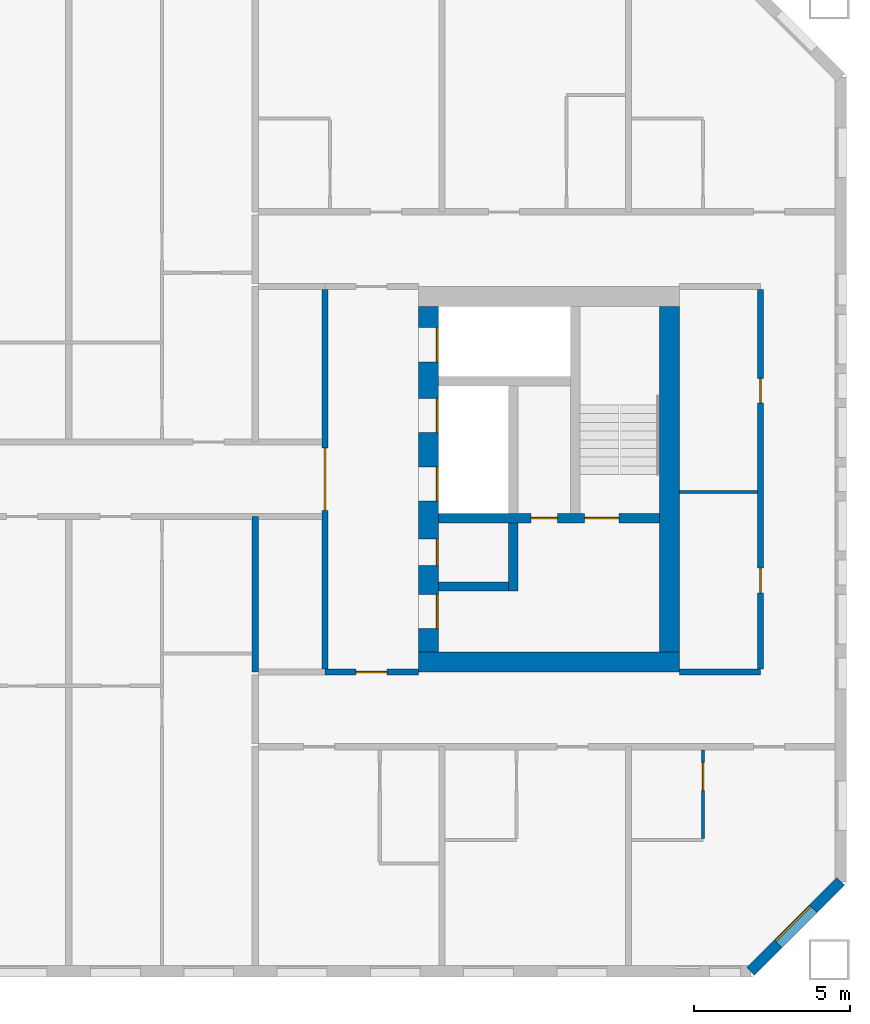
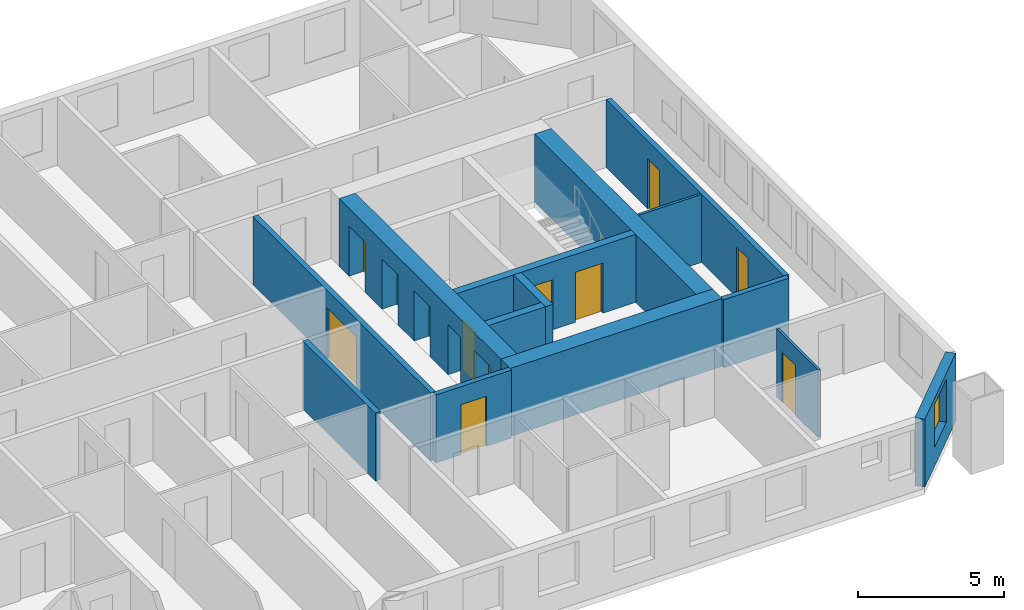
# One storey, part 13 of 17: 14 walls, 12 doors, 1 window, 13 openings.
"""IFC4 building model written with IfcOpenShell, lengths in metres."""

from ifc_helpers import new_model, si_unit, direction, frame, frame_2d, origin, place, context, subcontext, project, spatial, rectangle, extrude, material, layer, layer_set, type_object, element, fill, save


model = new_model("IFC4")

# Units and contexts
model_context = context("Model", 3, precision=1e-05, world=origin(), true_north=direction((0.0, 1.0)))
body_context = subcontext(model_context, "Body", "Model", "MODEL_VIEW")
ifc_project = project(units=[si_unit("LENGTHUNIT", "METRE"), si_unit("AREAUNIT", "SQUARE_METRE"), si_unit("VOLUMEUNIT", "CUBIC_METRE"), si_unit("PLANEANGLEUNIT", "RADIAN"), si_unit("MASSUNIT", "GRAM", prefix="KILO")], contexts=[model_context])

# Site, building, storey
site_placement = place(None, origin())
site = spatial("IfcSite", under=ifc_project, at=site_placement, CompositionType="ELEMENT")
building_placement = place(site_placement, origin())
building = spatial("IfcBuilding", under=site, at=building_placement, Name="Tuart Gate Housing", CompositionType="ELEMENT")
storey_placement = place(building_placement, frame((0.0, 0.0, 99.5)))
storey = spatial("IfcBuildingStorey", under=building, at=storey_placement, Name="L27", CompositionType="ELEMENT", Elevation=99.5)

# Wall, opening, window
ifc_material_1 = material(Name="Brick", Category="masonry")
ifc_layer_1 = layer(ifc_material_1, 0.360107421875)
ifc_layer_set_1 = layer_set([ifc_layer_1], Name="Brick pier and spandrel wall 360")
wall_type_1 = type_object("IfcWallType", Name="Brick pier and spandrel wall 360", PredefinedType="STANDARD", material=ifc_layer_set_1)
wall_1_placement = place(storey_placement, frame((170.92529296875, 54.179931640625, 0.0), z_axis=(0.0, 0.0, 1.0), x_axis=(0.707106781187, 0.707106781187, 0.0)))
wall_1 = element("IfcWall", 1, at=wall_1_placement, inside=storey, type_object=wall_type_1, Name="External wall B-SE L27", PredefinedType="STANDARD", context=body_context, shape_type="SweptSolid", body=[
    extrude(rectangle(XDim=4.09375, YDim=0.360107421875, at=frame_2d((2.046875, 0.0))), origin(), (0.0, 0.0, 1.0), 2.85009765625),
])
opening_1_placement = place(wall_1_placement, frame((1.2470703125, 0.0, 0.800048828125)))
opening_1 = element("IfcOpeningElement", 2, at=opening_1_placement, cuts=wall_1, Name="Opening W1", PredefinedType="OPENING", context=body_context, shape_type="SweptSolid", body=[
    extrude(rectangle(XDim=1.60009765625, YDim=1.800048828125, at=frame_2d((0.800048828125, 0.89990234375))), frame((0.0, 0.18994140625, 0.0), z_axis=(0.0, -1.0, 0.0), x_axis=(1.0, 0.0, 0.0)), (0.0, 0.0, 1.0), 0.380126953125),
])
ifc_material_2 = material(Name="Aluminium frame with clear glass", Category="aluminium")
window_type = type_object("IfcWindowType", Name="Punched window 1600 x 1800", PartitioningType="SINGLE_PANEL", PredefinedType="WINDOW", material=ifc_material_2)
window_placement = place(opening_1_placement, origin())
window = element("IfcWindow", 3, at=window_placement, inside=storey, type_object=window_type, Name="Window W1", OverallHeight=1.800048828125, OverallWidth=1.60009765625, PartitioningType="SINGLE_PANEL", PredefinedType="WINDOW", context=body_context, shape_type="SweptSolid", body=[
    extrude(rectangle(XDim=1.60009765625, YDim=1.800048828125, at=frame_2d((0.800048828125, 0.89990234375))), frame((0.0, 0.150146484375, 0.0), z_axis=(0.0, -1.0, 0.0), x_axis=(1.0, 0.0, 0.0)), (0.0, 0.0, 1.0), 0.06005859375),
])
fill(opening_1, window)

# Wall, openings, doors
ifc_material_3 = material(Name="Concrete C50", Category="concrete")
ifc_layer_2 = layer(ifc_material_3, 0.300048828125)
ifc_layer_set_2 = layer_set([ifc_layer_2], Name="Core wall 300 C50")
wall_type_2 = type_object("IfcWallType", Name="Core wall 300 C50", PredefinedType="SHEAR", material=ifc_layer_set_2)
wall_2_placement = place(storey_placement, frame((160.889892578125, 68.75, 0.0), z_axis=(0.0, 0.0, 1.0), x_axis=(1.0, 0.0, 0.0)))
wall_2 = element("IfcWall", 4, at=wall_2_placement, inside=storey, type_object=wall_type_2, Name="Core wall BK.2", PredefinedType="SHEAR", context=body_context, shape_type="SweptSolid", body=[
    extrude(rectangle(XDim=7.10009765625, YDim=0.300048828125, at=frame_2d((3.550048828125, 0.0))), origin(), (0.0, 0.0, 1.0), 2.85009765625),
])
opening_2_placement = place(wall_2_placement, frame((4.699951171875, 0.0, 0.0)))
opening_2 = element("IfcOpeningElement", 5, at=opening_2_placement, cuts=wall_2, Name="Opening D1159", PredefinedType="OPENING", context=body_context, shape_type="SweptSolid", body=[
    extrude(rectangle(XDim=1.10009765625, YDim=2.10009765625, at=frame_2d((0.550048828125, 1.050048828125))), frame((0.0, 0.159912109375, 0.0), z_axis=(0.0, -1.0, 0.0), x_axis=(1.0, 0.0, 0.0)), (0.0, 0.0, 1.0), 0.320068359375),
])
opening_3_placement = place(wall_2_placement, frame((2.97509765625, 0.0, 0.0)))
opening_3 = element("IfcOpeningElement", 6, at=opening_3_placement, cuts=wall_2, Name="Opening D1158", PredefinedType="OPENING", context=body_context, shape_type="SweptSolid", body=[
    extrude(rectangle(XDim=0.85009765625, YDim=2.10009765625, at=frame_2d((0.425048828125, 1.050048828125))), frame((0.0, 0.159912109375, 0.0), z_axis=(0.0, -1.0, 0.0), x_axis=(1.0, 0.0, 0.0)), (0.0, 0.0, 1.0), 0.320068359375),
])
ifc_material_4 = material(Name="Steel fire door", Category="steel")
door_type_1 = type_object("IfcDoorType", Name="Riser door 850 x 2100", OperationType="SINGLE_SWING_LEFT", PredefinedType="DOOR", material=ifc_material_4)
door_1_placement = place(opening_3_placement, origin())
door_1 = element("IfcDoor", 7, at=door_1_placement, inside=storey, type_object=door_type_1, Name="Service room door BK.W1", OperationType="SINGLE_SWING_LEFT", OverallHeight=2.10009765625, OverallWidth=0.85009765625, PredefinedType="DOOR", context=body_context, shape_type="SweptSolid", body=[
    extrude(rectangle(XDim=0.85009765625, YDim=2.10009765625, at=frame_2d((0.425048828125, 1.050048828125))), frame((0.0, 0.02490234375, 0.0), z_axis=(0.0, -1.0, 0.0), x_axis=(1.0, 0.0, 0.0)), (0.0, 0.0, 1.0), 0.050048828125),
])
fill(opening_3, door_1)
ifc_material_5 = material(Name="Steel fire door", Category="steel")
door_type_2 = type_object("IfcDoorType", Name="Stair door 1100 x 2100", OperationType="SINGLE_SWING_LEFT", PredefinedType="DOOR", material=ifc_material_5)
door_2_placement = place(opening_2_placement, origin())
door_2 = element("IfcDoor", 8, at=door_2_placement, inside=storey, type_object=door_type_2, Name="Stair door BK.SD", OperationType="SINGLE_SWING_LEFT", OverallHeight=2.10009765625, OverallWidth=1.10009765625, PredefinedType="DOOR", context=body_context, shape_type="SweptSolid", body=[
    extrude(rectangle(XDim=1.10009765625, YDim=2.10009765625, at=frame_2d((0.550048828125, 1.050048828125))), frame((0.0, 0.02490234375, 0.0), z_axis=(0.0, -1.0, 0.0), x_axis=(1.0, 0.0, 0.0)), (0.0, 0.0, 1.0), 0.050048828125),
])
fill(opening_2, door_2)

# Walls
wall_3_placement = place(storey_placement, frame((160.889892578125, 66.550048828125, 0.0), z_axis=(0.0, 0.0, 1.0), x_axis=(1.0, 0.0, 0.0)))
element("IfcWall", 9, at=wall_3_placement, inside=storey, type_object=wall_type_2, Name="Core wall BK.3", PredefinedType="SHEAR", context=body_context, shape_type="SweptSolid", body=[
    extrude(rectangle(XDim=2.25, YDim=0.300048828125, at=frame_2d((1.125, 0.0))), origin(), (0.0, 0.0, 1.0), 2.85009765625),
])
wall_4_placement = place(storey_placement, frame((163.2900390625, 68.60009765625, 0.0), z_axis=(0.0, 0.0, 1.0), x_axis=(0.0, -1.0, 0.0)))
element("IfcWall", 10, at=wall_4_placement, inside=storey, type_object=wall_type_2, Name="Core wall BK.5", PredefinedType="SHEAR", context=body_context, shape_type="SweptSolid", body=[
    extrude(rectangle(XDim=2.2001953125, YDim=0.300048828125, at=frame_2d((1.10009765625, 0.0))), origin(), (0.0, 0.0, 1.0), 2.85009765625),
])

# Wall, openings, doors
ifc_material_6 = material(Name="Concrete C50", Category="concrete")
ifc_layer_3 = layer(ifc_material_6, 0.64990234375)
ifc_layer_set_3 = layer_set([ifc_layer_3], Name="Core wall 650 C50")
wall_type_3 = type_object("IfcWallType", Name="Core wall 650 C50", PredefinedType="SHEAR", material=ifc_layer_set_3)
wall_5_placement = place(storey_placement, frame((160.56494140625, 75.550048828125, 0.0), z_axis=(0.0, 0.0, 1.0), x_axis=(0.0, -1.0, 0.0)))
wall_5 = element("IfcWall", 11, at=wall_5_placement, inside=storey, type_object=wall_type_3, Name="Core wall BK front", PredefinedType="SHEAR", context=body_context, shape_type="SweptSolid", body=[
    extrude(rectangle(XDim=11.10009765625, YDim=0.64990234375, at=frame_2d((5.550048828125, 0.0))), origin(), (0.0, 0.0, 1.0), 2.85009765625),
])
opening_4_placement = place(wall_5_placement, frame((0.675048828125, 0.0, 0.0)))
opening_4 = element("IfcOpeningElement", 12, at=opening_4_placement, cuts=wall_5, Name="Opening LD-FB2", PredefinedType="OPENING", context=body_context, shape_type="SweptSolid", body=[
    extrude(rectangle(XDim=1.10009765625, YDim=2.10009765625, at=frame_2d((0.550048828125, 1.050048828125))), frame((0.0, 0.3349609375, 0.0), z_axis=(0.0, -1.0, 0.0), x_axis=(1.0, 0.0, 0.0)), (0.0, 0.0, 1.0), 0.669921875),
])
opening_5_placement = place(wall_5_placement, frame((2.949951171875, 0.0, 0.0)))
opening_5 = element("IfcOpeningElement", 13, at=opening_5_placement, cuts=wall_5, Name="Opening LD-LB3", PredefinedType="OPENING", context=body_context, shape_type="SweptSolid", body=[
    extrude(rectangle(XDim=1.10009765625, YDim=2.10009765625, at=frame_2d((0.550048828125, 1.050048828125))), frame((0.0, 0.3349609375, 0.0), z_axis=(0.0, -1.0, 0.0), x_axis=(1.0, 0.0, 0.0)), (0.0, 0.0, 1.0), 0.669921875),
])
opening_6_placement = place(wall_5_placement, frame((5.14990234375, 0.0, 0.0)))
opening_6 = element("IfcOpeningElement", 14, at=opening_6_placement, cuts=wall_5, Name="Opening LD-LB4", PredefinedType="OPENING", context=body_context, shape_type="SweptSolid", body=[
    extrude(rectangle(XDim=1.10009765625, YDim=2.10009765625, at=frame_2d((0.550048828125, 1.050048828125))), frame((0.0, 0.3349609375, 0.0), z_axis=(0.0, -1.0, 0.0), x_axis=(1.0, 0.0, 0.0)), (0.0, 0.0, 1.0), 0.669921875),
])
opening_7_placement = place(wall_5_placement, frame((9.25, 0.0, 0.0)))
opening_7 = element("IfcOpeningElement", 15, at=opening_7_placement, cuts=wall_5, Name="Opening D1151", PredefinedType="OPENING", context=body_context, shape_type="SweptSolid", body=[
    extrude(rectangle(XDim=1.10009765625, YDim=2.10009765625, at=frame_2d((0.550048828125, 1.050048828125))), frame((0.0, 0.3349609375, 0.0), z_axis=(0.0, -1.0, 0.0), x_axis=(1.0, 0.0, 0.0)), (0.0, 0.0, 1.0), 0.669921875),
])
opening_8_placement = place(wall_5_placement, frame((7.47509765625, 0.0, 0.0)))
opening_8 = element("IfcOpeningElement", 16, at=opening_8_placement, cuts=wall_5, Name="Opening D1152", PredefinedType="OPENING", context=body_context, shape_type="SweptSolid", body=[
    extrude(rectangle(XDim=0.85009765625, YDim=2.10009765625, at=frame_2d((0.425048828125, 1.050048828125))), frame((0.0, 0.3349609375, 0.0), z_axis=(0.0, -1.0, 0.0), x_axis=(1.0, 0.0, 0.0)), (0.0, 0.0, 1.0), 0.669921875),
])
ifc_material_7 = material(Name="Stainless steel", Category="steel")
door_type_3 = type_object("IfcDoorType", Name="Landing door 1100 x 2100", OperationType="DOUBLE_DOOR_SLIDING", PredefinedType="DOOR", material=ifc_material_7)
door_3_placement = place(opening_4_placement, origin())
door_3 = element("IfcDoor", 17, at=door_3_placement, inside=storey, type_object=door_type_3, Name="Lift landing door FB2", OperationType="DOUBLE_DOOR_SLIDING", OverallHeight=2.10009765625, OverallWidth=1.10009765625, PredefinedType="DOOR", context=body_context, shape_type="SweptSolid", body=[
    extrude(rectangle(XDim=1.10009765625, YDim=2.10009765625, at=frame_2d((0.550048828125, 1.050048828125))), frame((0.0, 0.31005859375, 0.0), z_axis=(0.0, -1.0, 0.0), x_axis=(1.0, 0.0, 0.0)), (0.0, 0.0, 1.0), 0.050048828125),
])
fill(opening_4, door_3)
door_4_placement = place(opening_5_placement, origin())
door_4 = element("IfcDoor", 18, at=door_4_placement, inside=storey, type_object=door_type_3, Name="Lift landing door LB3", OperationType="DOUBLE_DOOR_SLIDING", OverallHeight=2.10009765625, OverallWidth=1.10009765625, PredefinedType="DOOR", context=body_context, shape_type="SweptSolid", body=[
    extrude(rectangle(XDim=1.10009765625, YDim=2.10009765625, at=frame_2d((0.550048828125, 1.050048828125))), frame((0.0, 0.31005859375, 0.0), z_axis=(0.0, -1.0, 0.0), x_axis=(1.0, 0.0, 0.0)), (0.0, 0.0, 1.0), 0.050048828125),
])
fill(opening_5, door_4)
door_5_placement = place(opening_6_placement, origin())
door_5 = element("IfcDoor", 19, at=door_5_placement, inside=storey, type_object=door_type_3, Name="Lift landing door LB4", OperationType="DOUBLE_DOOR_SLIDING", OverallHeight=2.10009765625, OverallWidth=1.10009765625, PredefinedType="DOOR", context=body_context, shape_type="SweptSolid", body=[
    extrude(rectangle(XDim=1.10009765625, YDim=2.10009765625, at=frame_2d((0.550048828125, 1.050048828125))), frame((0.0, 0.31005859375, 0.0), z_axis=(0.0, -1.0, 0.0), x_axis=(1.0, 0.0, 0.0)), (0.0, 0.0, 1.0), 0.050048828125),
])
fill(opening_6, door_5)
ifc_material_8 = material(Name="Steel fire door", Category="steel")
door_type_4 = type_object("IfcDoorType", Name="Lobby door 1100 x 2100", OperationType="SINGLE_SWING_LEFT", PredefinedType="DOOR", material=ifc_material_8)
door_6_placement = place(opening_7_placement, origin())
door_6 = element("IfcDoor", 20, at=door_6_placement, inside=storey, type_object=door_type_4, Name="Lobby entry door BK.EN", OperationType="SINGLE_SWING_LEFT", OverallHeight=2.10009765625, OverallWidth=1.10009765625, PredefinedType="DOOR", context=body_context, shape_type="SweptSolid", body=[
    extrude(rectangle(XDim=1.10009765625, YDim=2.10009765625, at=frame_2d((0.550048828125, 1.050048828125))), frame((0.0, 0.31005859375, 0.0), z_axis=(0.0, -1.0, 0.0), x_axis=(1.0, 0.0, 0.0)), (0.0, 0.0, 1.0), 0.050048828125),
])
fill(opening_7, door_6)
ifc_material_9 = material(Name="Steel fire door", Category="steel")
door_type_5 = type_object("IfcDoorType", Name="Service door 850 x 2100", OperationType="SINGLE_SWING_LEFT", PredefinedType="DOOR", material=ifc_material_9)
door_7_placement = place(opening_8_placement, origin())
door_7 = element("IfcDoor", 21, at=door_7_placement, inside=storey, type_object=door_type_5, Name="Service room door BK.T1", OperationType="SINGLE_SWING_LEFT", OverallHeight=2.10009765625, OverallWidth=0.85009765625, PredefinedType="DOOR", context=body_context, shape_type="SweptSolid", body=[
    extrude(rectangle(XDim=0.85009765625, YDim=2.10009765625, at=frame_2d((0.425048828125, 1.050048828125))), frame((0.0, 0.31005859375, 0.0), z_axis=(0.0, -1.0, 0.0), x_axis=(1.0, 0.0, 0.0)), (0.0, 0.0, 1.0), 0.050048828125),
])
fill(opening_8, door_7)

# Walls
wall_6_placement = place(storey_placement, frame((168.31494140625, 75.550048828125, 0.0), z_axis=(0.0, 0.0, 1.0), x_axis=(0.0, -1.0, 0.0)))
element("IfcWall", 22, at=wall_6_placement, inside=storey, type_object=wall_type_3, Name="Core wall BK back", PredefinedType="SHEAR", context=body_context, shape_type="SweptSolid", body=[
    extrude(rectangle(XDim=11.10009765625, YDim=0.64990234375, at=frame_2d((5.550048828125, 0.0))), origin(), (0.0, 0.0, 1.0), 2.85009765625),
])
wall_7_placement = place(storey_placement, frame((160.239990234375, 64.125, 0.0), z_axis=(0.0, 0.0, 1.0), x_axis=(1.0, 0.0, 0.0)))
element("IfcWall", 23, at=wall_7_placement, inside=storey, type_object=wall_type_3, Name="Core wall BK north", PredefinedType="SHEAR", context=body_context, shape_type="SweptSolid", body=[
    extrude(rectangle(XDim=8.39990234375, YDim=0.64990234375, at=frame_2d((4.199951171875, 0.0))), origin(), (0.0, 0.0, 1.0), 2.85009765625),
])
ifc_material_10 = material(Name="Concrete masonry 15 MPa", Category="masonry")
ifc_layer_4 = layer(ifc_material_10, 0.199951171875)
ifc_layer_set_4 = layer_set([ifc_layer_4], Name="Corridor wall masonry 200")
wall_type_4 = type_object("IfcWallType", Name="Corridor wall masonry 200", PredefinedType="PARTITIONING", material=ifc_layer_set_4)
wall_8_placement = place(storey_placement, frame((168.639892578125, 63.800048828125, 0.0), z_axis=(0.0, 0.0, 1.0), x_axis=(1.0, 0.0, 0.0)))
element("IfcWall", 24, at=wall_8_placement, inside=storey, type_object=wall_type_4, Name="Corridor wall masonry 200", PredefinedType="PARTITIONING", context=body_context, shape_type="SweptSolid", body=[
    extrude(rectangle(XDim=2.60009765625, YDim=0.199951171875, at=frame_2d((1.300048828125, 0.0))), origin(), (0.0, 0.0, 1.0), 2.85009765625),
])

# Wall, openings, doors
wall_9_placement = place(storey_placement, frame((171.239990234375, 63.89990234375, 0.0), z_axis=(0.0, 0.0, 1.0), x_axis=(0.0, 1.0, 0.0)))
wall_9 = element("IfcWall", 25, at=wall_9_placement, inside=storey, type_object=wall_type_4, Name="Corridor wall masonry 200", PredefinedType="PARTITIONING", context=body_context, shape_type="SweptSolid", body=[
    extrude(rectangle(XDim=12.2001953125, YDim=0.199951171875, at=frame_2d((6.10009765625, 0.0))), origin(), (0.0, 0.0, 1.0), 2.85009765625),
])
opening_9_placement = place(wall_9_placement, frame((2.445068359375, 0.0, 0.0)))
opening_9 = element("IfcOpeningElement", 26, at=opening_9_placement, cuts=wall_9, Name="Opening D1153", PredefinedType="OPENING", context=body_context, shape_type="SweptSolid", body=[
    extrude(rectangle(XDim=0.800048828125, YDim=2.10009765625, at=frame_2d((0.39990234375, 1.050048828125))), frame((0.0, 0.10986328125, 0.0), z_axis=(0.0, -1.0, 0.0), x_axis=(1.0, 0.0, 0.0)), (0.0, 0.0, 1.0), 0.219970703125),
])
opening_10_placement = place(wall_9_placement, frame((8.544921875, 0.0, 0.0)))
opening_10 = element("IfcOpeningElement", 27, at=opening_10_placement, cuts=wall_9, Name="Opening D1154", PredefinedType="OPENING", context=body_context, shape_type="SweptSolid", body=[
    extrude(rectangle(XDim=0.800048828125, YDim=2.10009765625, at=frame_2d((0.39990234375, 1.050048828125))), frame((0.0, 0.10986328125, 0.0), z_axis=(0.0, -1.0, 0.0), x_axis=(1.0, 0.0, 0.0)), (0.0, 0.0, 1.0), 0.219970703125),
])
ifc_material_11 = material(Name="Timber door leaf in steel frame", Category="steel")
door_type_6 = type_object("IfcDoorType", Name="Store door 800", OperationType="SINGLE_SWING_LEFT", PredefinedType="DOOR", material=ifc_material_11)
door_8_placement = place(opening_10_placement, origin())
door_8 = element("IfcDoor", 28, at=door_8_placement, inside=storey, type_object=door_type_6, Name="Store door", OperationType="SINGLE_SWING_LEFT", OverallHeight=2.10009765625, OverallWidth=0.800048828125, PredefinedType="DOOR", context=body_context, shape_type="SweptSolid", body=[
    extrude(rectangle(XDim=0.800048828125, YDim=2.10009765625, at=frame_2d((0.39990234375, 1.050048828125))), frame((0.0, 0.02490234375, 0.0), z_axis=(0.0, -1.0, 0.0), x_axis=(1.0, 0.0, 0.0)), (0.0, 0.0, 1.0), 0.050048828125),
])
fill(opening_10, door_8)
ifc_material_12 = material(Name="Timber door leaf in steel frame", Category="steel")
door_type_7 = type_object("IfcDoorType", Name="Store door 800 RH", OperationType="SINGLE_SWING_RIGHT", PredefinedType="DOOR", material=ifc_material_12)
door_9_placement = place(opening_9_placement, origin())
door_9 = element("IfcDoor", 29, at=door_9_placement, inside=storey, type_object=door_type_7, Name="Store door", OperationType="SINGLE_SWING_RIGHT", OverallHeight=2.10009765625, OverallWidth=0.800048828125, PredefinedType="DOOR", context=body_context, shape_type="SweptSolid", body=[
    extrude(rectangle(XDim=0.800048828125, YDim=2.10009765625, at=frame_2d((0.39990234375, 1.050048828125))), frame((0.0, 0.02490234375, 0.0), z_axis=(0.0, -1.0, 0.0), x_axis=(1.0, 0.0, 0.0)), (0.0, 0.0, 1.0), 0.050048828125),
])
fill(opening_9, door_9)

# Wall, opening, door
ifc_material_13 = material(Name="Concrete masonry 15 MPa", Category="masonry")
ifc_layer_5 = layer(ifc_material_13, 0.199951171875)
ifc_layer_set_5 = layer_set([ifc_layer_5], Name="Enclosure wall masonry 200")
wall_type_5 = type_object("IfcWallType", Name="Enclosure wall masonry 200", PredefinedType="PARTITIONING", material=ifc_layer_set_5)
wall_10_placement = place(storey_placement, frame((157.239990234375, 63.800048828125, 0.0), z_axis=(0.0, 0.0, 1.0), x_axis=(1.0, 0.0, 0.0)))
wall_10 = element("IfcWall", 30, at=wall_10_placement, inside=storey, type_object=wall_type_5, Name="Enclosure wall masonry 200", PredefinedType="PARTITIONING", context=body_context, shape_type="SweptSolid", body=[
    extrude(rectangle(XDim=3.0, YDim=0.199951171875, at=frame_2d((1.5, 0.0))), origin(), (0.0, 0.0, 1.0), 2.85009765625),
])
opening_11_placement = place(wall_10_placement, frame((1.0, 0.0, 0.0)))
opening_11 = element("IfcOpeningElement", 31, at=opening_11_placement, cuts=wall_10, Name="Opening D1161", PredefinedType="OPENING", context=body_context, shape_type="SweptSolid", body=[
    extrude(rectangle(XDim=1.0, YDim=2.10009765625, at=frame_2d((0.5, 1.050048828125))), frame((0.0, 0.10986328125, 0.0), z_axis=(0.0, -1.0, 0.0), x_axis=(1.0, 0.0, 0.0)), (0.0, 0.0, 1.0), 0.219970703125),
])
ifc_material_14 = material(Name="Timber door leaf in steel frame", Category="steel")
door_type_8 = type_object("IfcDoorType", Name="Fire door 1000 RH", OperationType="SINGLE_SWING_RIGHT", PredefinedType="DOOR", material=ifc_material_14)
door_10_placement = place(opening_11_placement, frame((1.0, 0.0, 0.0), z_axis=(0.0, 0.0, 1.0), x_axis=(-1.0, 0.0, 0.0)))
door_10 = element("IfcDoor", 32, at=door_10_placement, inside=storey, type_object=door_type_8, Name="Fire door", OperationType="SINGLE_SWING_RIGHT", OverallHeight=2.10009765625, OverallWidth=1.0, PredefinedType="DOOR", context=body_context, shape_type="SweptSolid", body=[
    extrude(rectangle(XDim=1.0, YDim=2.10009765625, at=frame_2d((0.5, 1.050048828125))), frame((0.0, 0.025146484375, 0.0), z_axis=(0.0, -1.0, 0.0), x_axis=(1.0, 0.0, 0.0)), (0.0, 0.0, 1.0), 0.050048828125),
])
fill(opening_11, door_10)

ifc_material_15 = material(Name="Plasterboard partition")
ifc_layer_6 = layer(ifc_material_15, 0.199951171875)
ifc_layer_set_6 = layer_set([ifc_layer_6], Name="Lobby wall 200")
wall_type_6 = type_object("IfcWallType", Name="Lobby wall 200", PredefinedType="PARTITIONING", material=ifc_layer_set_6)
wall_11_placement = place(storey_placement, frame((157.239990234375, 63.89990234375, 0.0), z_axis=(0.0, 0.0, 1.0), x_axis=(0.0, 1.0, 0.0)))
wall_11 = element("IfcWall", 33, at=wall_11_placement, inside=storey, type_object=wall_type_6, Name="Lift lobby wall BK", PredefinedType="PARTITIONING", context=body_context, shape_type="SweptSolid", body=[
    extrude(rectangle(XDim=12.2001953125, YDim=0.199951171875, at=frame_2d((6.10009765625, 0.0))), origin(), (0.0, 0.0, 1.0), 2.85009765625),
])
opening_12_placement = place(wall_11_placement, frame((5.10009765625, 0.0, 0.0)))
opening_12 = element("IfcOpeningElement", 34, at=opening_12_placement, cuts=wall_11, Name="Opening D1150", PredefinedType="OPENING", context=body_context, shape_type="SweptSolid", body=[
    extrude(rectangle(XDim=2.0, YDim=2.10009765625, at=frame_2d((1.0, 1.050048828125))), frame((0.0, 0.10986328125, 0.0), z_axis=(0.0, -1.0, 0.0), x_axis=(1.0, 0.0, 0.0)), (0.0, 0.0, 1.0), 0.219970703125),
])
ifc_material_16 = material(Name="Steel fire door", Category="steel")
door_type_9 = type_object("IfcDoorType", Name="Smoke door 2000 x 2100", OperationType="DOUBLE_DOOR_SINGLE_SWING", PredefinedType="DOOR", material=ifc_material_16)
door_11_placement = place(opening_12_placement, frame((2.0, 0.0, 0.0), z_axis=(0.0, 0.0, 1.0), x_axis=(-1.0, 0.0, 0.0)))
door_11 = element("IfcDoor", 35, at=door_11_placement, inside=storey, type_object=door_type_9, Name="Lift lobby smoke door BK", OperationType="DOUBLE_DOOR_SINGLE_SWING", OverallHeight=2.10009765625, OverallWidth=2.0, PredefinedType="DOOR", context=body_context, shape_type="SweptSolid", body=[
    extrude(rectangle(XDim=2.0, YDim=2.10009765625, at=frame_2d((1.0, 1.050048828125))), frame((0.0, 0.025146484375, 0.0), z_axis=(0.0, -1.0, 0.0), x_axis=(1.0, 0.0, 0.0)), (0.0, 0.0, 1.0), 0.050048828125),
])
fill(opening_12, door_11)

# Wall
ifc_material_17 = material(Name="Gypsum board on steel studs", Category="steel")
ifc_layer_7 = layer(ifc_material_17, 0.10009765625)
ifc_layer_set_7 = layer_set([ifc_layer_7], Name="Partition 100")
wall_type_7 = type_object("IfcWallType", Name="Partition 100", PredefinedType="PARTITIONING", material=ifc_layer_set_7)
wall_12_placement = place(storey_placement, frame((168.639892578125, 69.590087890625, 0.0), z_axis=(0.0, 0.0, 1.0), x_axis=(1.0, 0.0, 0.0)))
element("IfcWall", 36, at=wall_12_placement, inside=storey, type_object=wall_type_7, Name="Partition 100", PredefinedType="PARTITIONING", context=body_context, shape_type="SweptSolid", body=[
    extrude(rectangle(XDim=2.5, YDim=0.10009765625, at=frame_2d((1.25, 0.0))), origin(), (0.0, 0.0, 1.0), 2.85009765625),
])

# Wall, opening, door
wall_13_placement = place(storey_placement, frame((169.39990234375, 58.449951171875, 0.0), z_axis=(0.0, 0.0, 1.0), x_axis=(0.0, 1.0, 0.0)))
wall_13 = element("IfcWall", 37, at=wall_13_placement, inside=storey, type_object=wall_type_7, Name="Partition 100", PredefinedType="PARTITIONING", context=body_context, shape_type="SweptSolid", body=[
    extrude(rectangle(XDim=2.85009765625, YDim=0.10009765625, at=frame_2d((1.425048828125, 0.0))), origin(), (0.0, 0.0, 1.0), 2.85009765625),
])
opening_13_placement = place(wall_13_placement, frame((1.550048828125, 0.0, 0.0)))
opening_13 = element("IfcOpeningElement", 38, at=opening_13_placement, cuts=wall_13, Name="Opening D1174", PredefinedType="OPENING", context=body_context, shape_type="SweptSolid", body=[
    extrude(rectangle(XDim=0.89990234375, YDim=2.10009765625, at=frame_2d((0.449951171875, 1.050048828125))), frame((0.0, 0.06005859375, 0.0), z_axis=(0.0, -1.0, 0.0), x_axis=(1.0, 0.0, 0.0)), (0.0, 0.0, 1.0), 0.1201171875),
])
ifc_material_18 = material(Name="Timber door leaf in steel frame", Category="steel")
door_type_10 = type_object("IfcDoorType", Name="Bathroom door 900 RH", OperationType="SINGLE_SWING_RIGHT", PredefinedType="DOOR", material=ifc_material_18)
door_12_placement = place(opening_13_placement, origin())
door_12 = element("IfcDoor", 39, at=door_12_placement, inside=storey, type_object=door_type_10, Name="Bathroom door", OperationType="SINGLE_SWING_RIGHT", OverallHeight=2.10009765625, OverallWidth=0.89990234375, PredefinedType="DOOR", context=body_context, shape_type="SweptSolid", body=[
    extrude(rectangle(XDim=0.89990234375, YDim=2.10009765625, at=frame_2d((0.449951171875, 1.050048828125))), frame((0.0, 0.02490234375, 0.0), z_axis=(0.0, -1.0, 0.0), x_axis=(1.0, 0.0, 0.0)), (0.0, 0.0, 1.0), 0.050048828125),
])
fill(opening_13, door_12)

# Wall
ifc_material_19 = material(Name="Concrete C40", Category="concrete")
ifc_layer_8 = layer(ifc_material_19, 0.199951171875)
ifc_layer_set_8 = layer_set([ifc_layer_8], Name="Party wall concrete C40 200")
wall_type_8 = type_object("IfcWallType", Name="Party wall concrete C40 200", PredefinedType="SOLIDWALL", material=ifc_layer_set_8)
wall_14_placement = place(storey_placement, frame((155.0, 63.800048828125, 0.0), z_axis=(0.0, 0.0, 1.0), x_axis=(0.0, 1.0, 0.0)))
element("IfcWall", 40, at=wall_14_placement, inside=storey, type_object=wall_type_8, Name="Party wall concrete C40 200", PredefinedType="SOLIDWALL", context=body_context, shape_type="SweptSolid", body=[
    extrude(rectangle(XDim=5.0, YDim=0.199951171875, at=frame_2d((2.5, 0.0))), origin(), (0.0, 0.0, 1.0), 2.85009765625),
])

save(model, "model.ifc")
